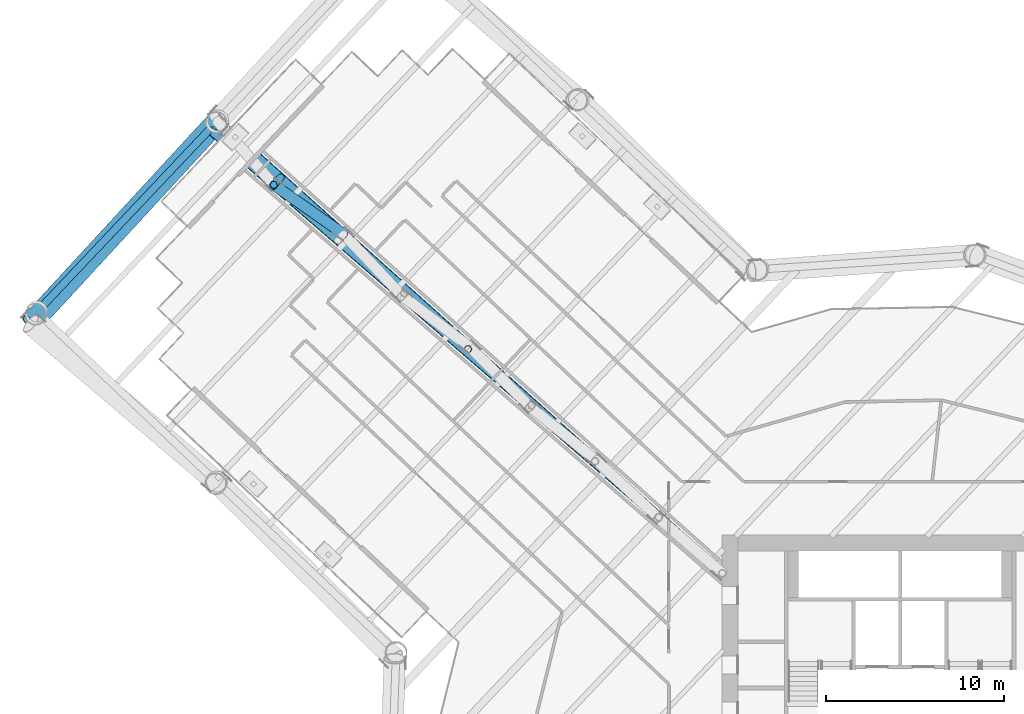
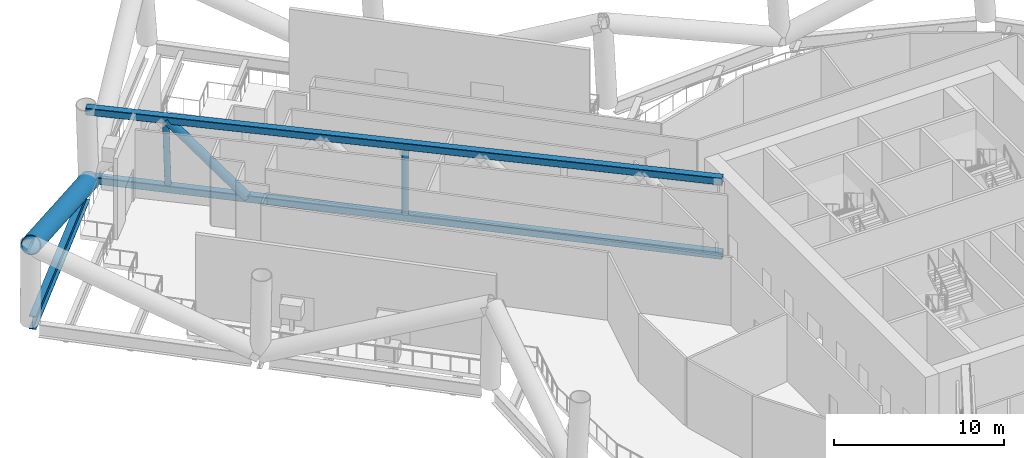
# One storey, part 8 of 39: 6 members, 1 beam.
"""IFC4 building model written with IfcOpenShell, lengths in metres."""

from ifc_helpers import new_model, si_unit, direction, frame, origin, origin_2d, place, context, subcontext, project, spatial, hollow_rectangle, hollow_circle, i_section, extrude, material, material_profile, profile_set, type_object, element, save


model = new_model("IFC4")

# Units and contexts
model_context = context("Model", 3, precision=1e-05, world=origin(), true_north=direction((0.0, 1.0)))
body_context = subcontext(model_context, "Body", "Model", "MODEL_VIEW")
ifc_project = project(units=[si_unit("LENGTHUNIT", "METRE"), si_unit("AREAUNIT", "SQUARE_METRE"), si_unit("VOLUMEUNIT", "CUBIC_METRE"), si_unit("PLANEANGLEUNIT", "RADIAN"), si_unit("MASSUNIT", "GRAM", prefix="KILO")], contexts=[model_context])

# Site, building, storey
site_placement = place(None, origin())
site = spatial("IfcSite", under=ifc_project, at=site_placement, CompositionType="ELEMENT")
building_placement = place(site_placement, origin())
building = spatial("IfcBuilding", under=site, at=building_placement, Name="Tarsis Ring Headquarters", CompositionType="ELEMENT")
storey_placement = place(building_placement, frame((0.0, 0.0, 86.800048828125)))
storey = spatial("IfcBuildingStorey", under=building, at=storey_placement, Name="L19", CompositionType="ELEMENT", Elevation=86.800048828125)

# Members
ifc_material_1 = material(Name="Structural steel S355", Category="steel")
ifc_material_profile_1 = material_profile(ifc_material_1, hollow_rectangle(XDim=0.508056640625, YDim=0.508056640625, WallThickness=0.025390625, InnerFilletRadius=0.025390625, OuterFilletRadius=0.05078125, at=origin_2d()), Name="HSS 508x508x25")
ifc_profile_set_1 = profile_set([ifc_material_profile_1], Name="Structural steel S355")
member_type_1 = type_object("IfcMemberType", Name="OC Outrigger chord HSS 508x508x25", PredefinedType="CHORD", material=ifc_profile_set_1)
member_1_placement = place(storey_placement, frame((-10.0, 10.852294921875, 0.25390625), z_axis=(-0.744822262268, 0.667262914922, 0.0), x_axis=(-0.667262914922, -0.744822262268, 0.0)))
element("IfcMember", 1, at=member_1_placement, inside=storey, type_object=member_type_1, Name="Outrigger chord OC1", PredefinedType="CHORD", context=body_context, shape_type="SweptSolid", body=[
    extrude(hollow_rectangle(XDim=0.508056640625, YDim=0.508056640625, WallThickness=0.025390625, InnerFilletRadius=0.025390625, OuterFilletRadius=0.05078125, at=origin_2d()), origin(), (0.0, 0.0, 1.0), 38.09130859375),
])
member_2_placement = place(storey_placement, frame((-10.0, 10.852294921875, 5.5859375), z_axis=(-0.755896613168, 0.654691003605, 0.0), x_axis=(-0.654691003605, -0.755896613168, 0.0)))
element("IfcMember", 2, at=member_2_placement, inside=storey, type_object=member_type_1, Name="Outrigger chord OC1", PredefinedType="CHORD", context=body_context, shape_type="SweptSolid", body=[
    extrude(hollow_rectangle(XDim=0.508056640625, YDim=0.508056640625, WallThickness=0.025390625, InnerFilletRadius=0.025390625, OuterFilletRadius=0.05078125, at=origin_2d()), origin(), (0.0, 0.0, 1.0), 38.10986328125),
])
ifc_material_profile_2 = material_profile(ifc_material_1, hollow_circle(Radius=0.3046875, WallThickness=0.02490234375, at=origin_2d()), Name="CHS 610x25")
ifc_profile_set_2 = profile_set([ifc_material_profile_2], Name="Structural steel S355")
member_type_2 = type_object("IfcMemberType", Name="OD Outrigger diagonal CHS 610x25", PredefinedType="BRACE", material=ifc_profile_set_2)
member_3_placement = place(storey_placement, frame((-31.2783203125, 29.9150390625, 0.25390625), z_axis=(-0.547220486111, 0.385697079526, 0.742824005014), x_axis=(-0.576108614838, -0.817373148512, 0.0)))
element("IfcMember", 3, at=member_3_placement, inside=storey, type_object=member_type_2, Name="Outrigger diagonal OD1", PredefinedType="BRACE", context=body_context, shape_type="SweptSolid", body=[
    extrude(hollow_circle(Radius=0.3046875, WallThickness=0.02490234375, at=origin_2d()), origin(), (0.0, 0.0, 1.0), 7.177978515625),
])
ifc_material_profile_3 = material_profile(ifc_material_1, hollow_circle(Radius=0.203125, WallThickness=0.01611328125, at=origin_2d()), Name="CHS 406x16")
ifc_profile_set_3 = profile_set([ifc_material_profile_3], Name="Structural steel S355")
member_type_3 = type_object("IfcMemberType", Name="OV Outrigger post CHS 406x16", PredefinedType="STRUT", material=ifc_profile_set_3)
member_4_placement = place(storey_placement, frame((-24.294677734375, 23.444091796875, 0.508056640625), z_axis=(0.0, 0.0, 1.0), x_axis=(1.0, 0.0, 0.0)))
element("IfcMember", 4, at=member_4_placement, inside=storey, type_object=member_type_3, Name="Outrigger post OV1", PredefinedType="STRUT", context=body_context, shape_type="SweptSolid", body=[
    extrude(hollow_circle(Radius=0.203125, WallThickness=0.01611328125, at=origin_2d()), origin(), (0.0, 0.0, 1.0), 4.823974609375),
])
member_5_placement = place(storey_placement, frame((-34.824951171875, 33.09228515625, 0.508056640625), z_axis=(-0.078527151824, -0.084157779868, 0.993353388535), x_axis=(0.731142407528, -0.682224874886, 0.0)))
element("IfcMember", 5, at=member_5_placement, inside=storey, type_object=member_type_3, Name="Outrigger post OV1", PredefinedType="STRUT", context=body_context, shape_type="SweptSolid", body=[
    extrude(hollow_circle(Radius=0.203125, WallThickness=0.01611328125, at=origin_2d()), origin(), (0.0, 0.0, 1.0), 4.856201171875),
])
ifc_material_2 = material(Name="Structural steel S460", Category="steel")
ifc_material_profile_4 = material_profile(ifc_material_2, hollow_circle(Radius=0.609619140625, WallThickness=0.050048828125, at=origin_2d()), Name="CHS 1219x50")
ifc_profile_set_4 = profile_set([ifc_material_profile_4], Name="Structural steel S460")
member_type_4 = type_object("IfcMemberType", Name="TD Belt truss diagonal CHS 1219x50", PredefinedType="BRACE", material=ifc_profile_set_4)
member_6_placement = place(storey_placement, frame((-38.3505859375, 36.29150390625, 0.0), z_axis=(-0.632030300288, -0.685925949371, 0.360615157056), x_axis=(0.735408105598, -0.677624466958, 0.0)))
element("IfcMember", 6, at=member_6_placement, inside=storey, type_object=member_type_4, Name="Belt truss diagonal TD1", PredefinedType="BRACE", context=body_context, shape_type="SweptSolid", body=[
    extrude(hollow_circle(Radius=0.609619140625, WallThickness=0.050048828125, at=origin_2d()), origin(), (0.0, 0.0, 1.0), 16.63818359375),
])

# Beam
ifc_material_profile_5 = material_profile(ifc_material_1, i_section(OverallWidth=0.42431640625, OverallDepth=0.947509765625, WebThickness=0.02392578125, FlangeThickness=0.042724609375, at=origin_2d()), Name="W36x302")
ifc_profile_set_5 = profile_set([ifc_material_profile_5], Name="Structural steel S355")
beam_type = type_object("IfcBeamType", Name="XG Ring girder W36x302", PredefinedType="BEAM", material=ifc_profile_set_5)
beam_placement = place(storey_placement, frame((-38.7275390625, 35.89306640625, -0.4736328125), z_axis=(-0.687346222734, -0.726329931982, 0.0), x_axis=(0.726329931982, -0.687346222734, 0.0)))
element("IfcBeam", 7, at=beam_placement, inside=storey, type_object=beam_type, Name="Ring girder XG1", PredefinedType="BEAM", context=body_context, shape_type="SweptSolid", body=[
    extrude(i_section(OverallWidth=0.42431640625, OverallDepth=0.947509765625, WebThickness=0.02392578125, FlangeThickness=0.042724609375, at=origin_2d()), origin(), (0.0, 0.0, 1.0), 13.70263671875),
])

save(model, "model.ifc")
